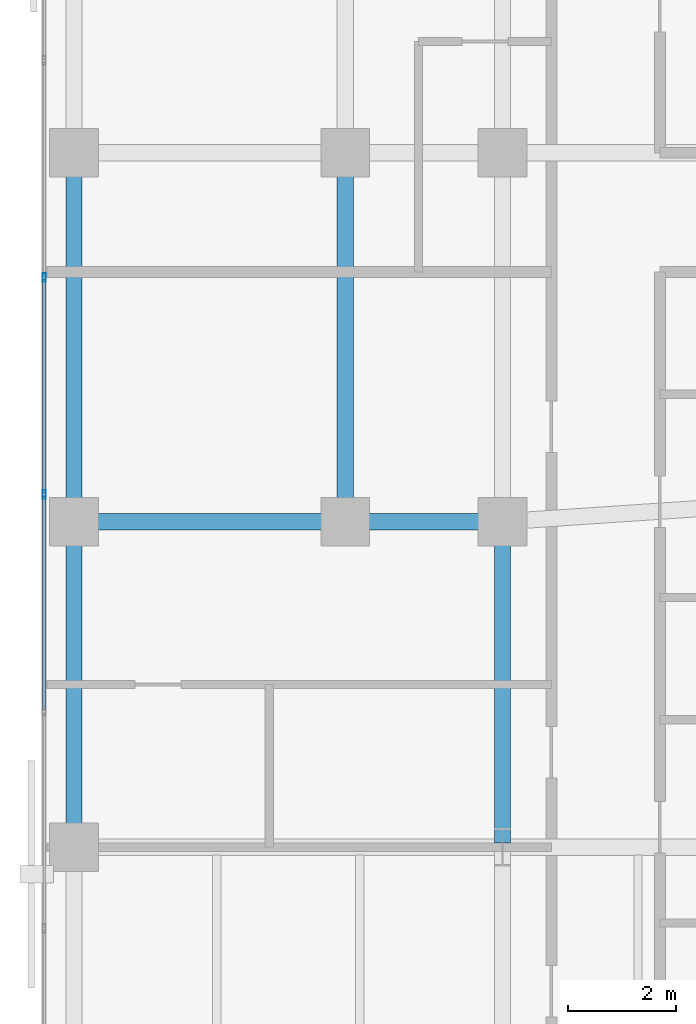
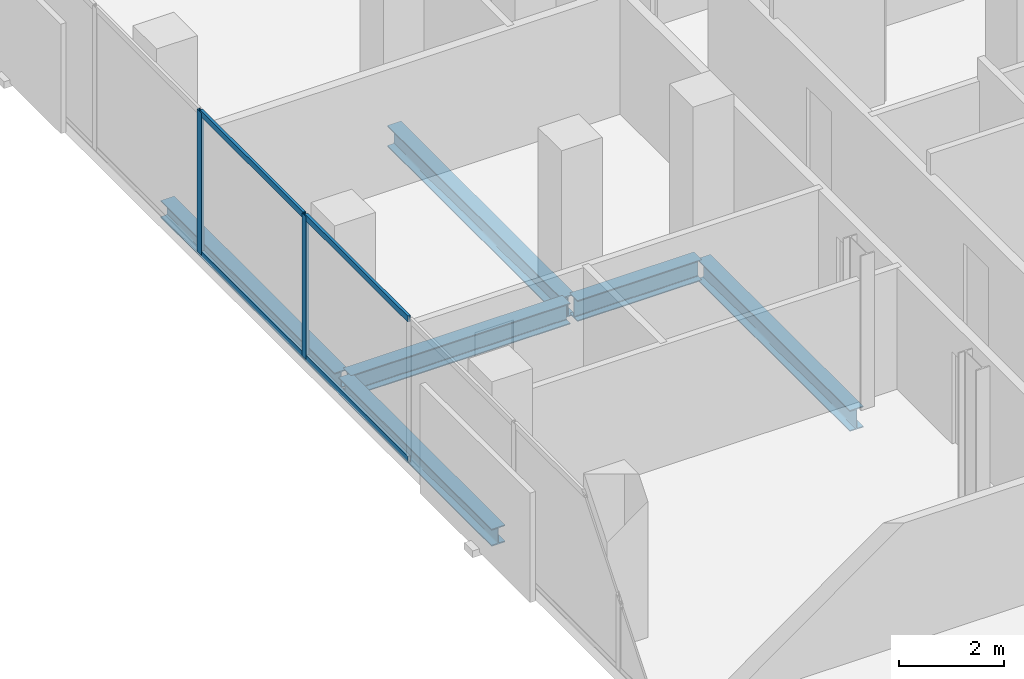
# One storey, part 9 of 34: 6 beams, 6 members, 1 element without a shape of its own.
"""IFC4 building model written with IfcOpenShell, lengths in metres."""

import ifcopenshell
import ifcopenshell.guid

model = None  # the IFC model being written
_history = None  # IfcOwnerHistory: only IFC2X3 demands one
_inside = {}  # id of a spatial element -> (the spatial element, [elements in it])
_under = {}  # id of a project, library or spatial element -> (it, [spatial elements below it])
_declared = {}  # id of a project -> (the project, [libraries it declares])
_typed = {}  # id of a type object -> (the type object, [elements of that type])
_made_of = {}  # id of a material, layer set ... -> (it, [elements and type objects made of it])


def new_model(schema):
    """Start an empty IFC model of exactly this schema.

    Asked for "IFC4X3", IfcOpenShell would pick the latest addendum, in which some entities
    have other attributes; the version numbers below select the first issue.
    IFC2X3 requires an IfcOwnerHistory on every rooted entity: one is made here for all.
    """
    global model, _history
    if schema == "IFC4X3":
        model = ifcopenshell.file(schema_version=(4, 3, 0, 0))
    else:
        model = ifcopenshell.file(schema=schema)
    _inside.clear()
    _under.clear()
    _declared.clear()
    _typed.clear()
    _made_of.clear()
    _history = None
    if model.schema == "IFC2X3":
        org = make("IfcOrganization", Name="unknown")
        user = make(
            "IfcPersonAndOrganization",
            ThePerson=make("IfcPerson", FamilyName="unknown"),
            TheOrganization=org,
        )
        app = make(
            "IfcApplication",
            ApplicationDeveloper=org,
            Version="unknown",
            ApplicationFullName="unknown",
            ApplicationIdentifier="unknown",
        )
        _history = make(
            "IfcOwnerHistory",
            OwningUser=user,
            OwningApplication=app,
            ChangeAction="ADDED",
            CreationDate=0,
        )
    return model


def make(cls, **values):
    """One entity of the class cls with the attributes given. An attribute that is None is left unset."""
    return model.create_entity(
        cls, **{name: value for name, value in values.items() if value is not None}
    )


def rooted(cls, **values):
    """An entity with a GlobalId (a new one), such as an element, a storey or a relation."""
    return make(cls, GlobalId=ifcopenshell.guid.new(), OwnerHistory=_history, **values)


def si_unit(unit_type, name, prefix=None):
    """IfcSIUnit, for example si_unit("LENGTHUNIT", "METRE", prefix="MILLI")."""
    return make("IfcSIUnit", UnitType=unit_type, Prefix=prefix, Name=name)


def assignment(units):
    """IfcUnitAssignment: the units of a project."""
    return None if units is None else make("IfcUnitAssignment", Units=units)


def point(xyz):
    """IfcCartesianPoint."""
    return None if xyz is None else make("IfcCartesianPoint", Coordinates=xyz)


def direction(xyz):
    """IfcDirection."""
    return None if xyz is None else make("IfcDirection", DirectionRatios=xyz)


def frame(location, z_axis=None, x_axis=None):
    """IfcAxis2Placement3D, a coordinate frame: its origin and axes. An axis left out is left unset."""
    return make(
        "IfcAxis2Placement3D",
        Location=point(location),
        Axis=direction(z_axis),
        RefDirection=direction(x_axis),
    )


def frame_2d(location, x_axis=None):
    """IfcAxis2Placement2D, a coordinate frame in the plane: its origin and x axis."""
    return make(
        "IfcAxis2Placement2D", Location=point(location), RefDirection=direction(x_axis)
    )


def origin():
    """The frame at (0, 0, 0) with its axes left unset."""
    return frame((0.0, 0.0, 0.0))


def origin_2d():
    """The frame at (0, 0) in the plane with its x axis left unset."""
    return frame_2d((0.0, 0.0))


def place(relative_to, where):
    """IfcLocalPlacement: puts the frame where relative to a parent placement (None: the world)."""
    return make(
        "IfcLocalPlacement", PlacementRelTo=relative_to, RelativePlacement=where
    )


def context(
    kind, dimensions, precision=None, world=None, true_north=None, identifier=None
):
    """IfcGeometricRepresentationContext, for example the 3D "Model" context."""
    return make(
        "IfcGeometricRepresentationContext",
        ContextIdentifier=identifier,
        ContextType=kind,
        CoordinateSpaceDimension=dimensions,
        Precision=precision,
        WorldCoordinateSystem=world,
        TrueNorth=true_north,
    )


def subcontext(parent, identifier, kind, view, scale=None):
    """IfcGeometricRepresentationSubContext, for example "Body" below "Model"."""
    return make(
        "IfcGeometricRepresentationSubContext",
        ContextIdentifier=identifier,
        ContextType=kind,
        ParentContext=parent,
        TargetScale=scale,
        TargetView=view,
    )


def project(units=None, contexts=None):
    """IfcProject with its units and contexts."""
    return rooted(
        "IfcProject",
        Name="project",
        RepresentationContexts=contexts,
        UnitsInContext=assignment(units),
    )


def spatial(cls, under=None, at=None, **own):
    """A site, building, storey or space (cls), placed at a placement, below another one or the project."""
    s = rooted(cls, ObjectPlacement=at, **own)
    if under is not None:
        _under.setdefault(under.id(), (under, []))[1].append(s)
    return s


def profile(cls, at=None, kind="AREA", **sizes):
    """A parametric profile (cls). Its sizes go by their IFC names, for example OverallWidth=200.0."""
    return make(cls, ProfileType=kind, Position=at, **sizes)


def hollow_rectangle(**sizes):
    """IfcRectangleHollowProfileDef."""
    return profile("IfcRectangleHollowProfileDef", **sizes)


def i_section(**sizes):
    """IfcIShapeProfileDef."""
    return profile("IfcIShapeProfileDef", **sizes)


def extrude(swept, where, along, depth):
    """IfcExtrudedAreaSolid: the profile swept, set in the frame where, extruded along a direction by depth."""
    return make(
        "IfcExtrudedAreaSolid",
        SweptArea=swept,
        Position=where,
        ExtrudedDirection=direction(along),
        Depth=depth,
    )


def shape(context_of_items, identifier, shape_type, items):
    """IfcShapeRepresentation: the items that make up one representation, for example the "Body"."""
    return make(
        "IfcShapeRepresentation",
        ContextOfItems=context_of_items,
        RepresentationIdentifier=identifier,
        RepresentationType=shape_type,
        Items=items,
    )


def material(Name=None, Category=None):
    """IfcMaterial."""
    return make("IfcMaterial", Name=Name, Category=Category)


def layer(
    of_material, thickness, ventilated=None, Name=None, Category=None, Priority=None
):
    """IfcMaterialLayer: one layer of a wall or slab, of a material (None: an air gap)."""
    return make(
        "IfcMaterialLayer",
        Material=of_material,
        LayerThickness=thickness,
        IsVentilated=ventilated,
        Name=Name,
        Category=Category,
        Priority=Priority,
    )


def layer_set(layers, Name=None):
    """IfcMaterialLayerSet."""
    return make("IfcMaterialLayerSet", MaterialLayers=layers, LayerSetName=Name)


def material_profile(
    of_material, cross_section, Name=None, Category=None, Priority=None
):
    """IfcMaterialProfile: a cross section and its material."""
    return make(
        "IfcMaterialProfile",
        Name=Name,
        Material=of_material,
        Profile=cross_section,
        Priority=Priority,
        Category=Category,
    )


def profile_set(profiles, Name=None, composite=None):
    """IfcMaterialProfileSet."""
    return make(
        "IfcMaterialProfileSet",
        Name=Name,
        MaterialProfiles=profiles,
        CompositeProfile=composite,
    )


def made_of(thing, what):
    """Note that an element or type object is made of a material, layer set ...; save() writes the relation."""
    if what is not None:
        _made_of.setdefault(what.id(), (what, []))[1].append(thing)
    return thing


def type_object(cls, material=None, **own):
    """A type object (cls), such as IfcWallType, which elements share."""
    return made_of(rooted(cls, **own), material)


def element(
    cls,
    number,
    at=None,
    inside=None,
    cuts=None,
    type_object=None,
    material=None,
    context=None,
    identifier="Body",
    shape_type=None,
    held_by="IfcProductDefinitionShape",
    body=None,
    shapes=None,
    **own,
):
    """One element of the class cls, such as IfcWall. Its Tag is "e" and its number.

    at: its placement. inside: the storey or other place that contains it. cuts: it is an
    opening in that element (IfcRelVoidsElement). A single representation is given by context,
    identifier, shape_type and body (its items); several are given by shapes. held_by: the class
    of the entity that holds the representations. save() writes the other relations.
    """
    e = rooted(cls, Tag="e%d" % number, ObjectPlacement=at, **own)
    if body is not None:
        shapes = [shape(context, identifier, shape_type, body)]
    if shapes is not None:
        e.Representation = make(held_by, Representations=shapes)
    if inside is not None:
        _inside.setdefault(inside.id(), (inside, []))[1].append(e)
    if cuts is not None:
        rooted(
            "IfcRelVoidsElement", RelatingBuildingElement=cuts, RelatedOpeningElement=e
        )
    if type_object is not None:
        _typed.setdefault(type_object.id(), (type_object, []))[1].append(e)
    return made_of(e, material)


def aggregate(whole, parts):
    """IfcRelAggregates: a whole, such as a stair, and the parts it consists of."""
    return rooted("IfcRelAggregates", RelatingObject=whole, RelatedObjects=parts)


def save(model, path):
    """Write the relations noted so far, then the file.

    IfcRelAggregates (storeys below a building ...), IfcRelContainedInSpatialStructure (elements
    in a storey), IfcRelDefinesByType, IfcRelAssociatesMaterial and IfcRelDeclares: one each for
    every whole, place, type object, material and project.
    """
    for whole, parts in _under.values():
        aggregate(whole, parts)
    for where, things in _inside.values():
        rooted(
            "IfcRelContainedInSpatialStructure",
            RelatedElements=things,
            RelatingStructure=where,
        )
    for kind, things in _typed.values():
        rooted("IfcRelDefinesByType", RelatedObjects=things, RelatingType=kind)
    for what, things in _made_of.values():
        rooted("IfcRelAssociatesMaterial", RelatedObjects=things, RelatingMaterial=what)
    for by, libraries in _declared.values():
        rooted("IfcRelDeclares", RelatingContext=by, RelatedDefinitions=libraries)
    model.write(path)


model = new_model("IFC4")

# Units and contexts
model_context = context("Model", 3, precision=1e-05, world=origin(), true_north=direction((0.0, 1.0)))
body_context = subcontext(model_context, "Body", "Model", "MODEL_VIEW")
ifc_project = project(units=[si_unit("LENGTHUNIT", "METRE"), si_unit("AREAUNIT", "SQUARE_METRE"), si_unit("VOLUMEUNIT", "CUBIC_METRE"), si_unit("PLANEANGLEUNIT", "RADIAN"), si_unit("MASSUNIT", "GRAM", prefix="KILO")], contexts=[model_context])

# Site, building, storey
site_placement = place(None, origin())
site = spatial("IfcSite", under=ifc_project, at=site_placement, CompositionType="ELEMENT")
building_placement = place(site_placement, origin())
building = spatial("IfcBuilding", under=site, at=building_placement, Name="Catumbela Crestline Tower", CompositionType="ELEMENT")
storey_placement = place(building_placement, frame((0.0, 0.0, 97.2)))
storey = spatial("IfcBuildingStorey", under=building, at=storey_placement, Name="L24", CompositionType="ELEMENT", Elevation=97.2)

# Beams
ifc_material_1 = material(Name="Structural steel S355J2", Category="steel")
ifc_material_profile_1 = material_profile(ifc_material_1, i_section(OverallWidth=0.3, OverallDepth=0.49, WebThickness=0.012, FlangeThickness=0.023, FilletRadius=0.027, at=origin_2d()), Name="HEA 500")
ifc_profile_set_1 = profile_set([ifc_material_profile_1], Name="Structural steel S355J2")
beam_type_1 = type_object("IfcBeamType", Name="BG-HEA500", PredefinedType="BEAM", material=ifc_profile_set_1)
beam_1_placement = place(storey_placement, frame((0.68, 24.0, -0.505), z_axis=(1.0, 0.0, 0.0), x_axis=(0.0, 1.0, 0.0)))
element("IfcBeam", 1, at=beam_1_placement, inside=storey, type_object=beam_type_1, Name="L24 Beam BM-L24-S01", PredefinedType="BEAM", context=body_context, shape_type="SweptSolid", body=[
    extrude(i_section(OverallWidth=0.3, OverallDepth=0.49, WebThickness=0.012, FlangeThickness=0.023, FilletRadius=0.027, at=origin_2d()), origin(), (0.0, 0.0, 1.0), 4.84),
])
beam_2_placement = place(storey_placement, frame((5.68, 24.0, -0.505), z_axis=(1.0, 0.0, 0.0), x_axis=(0.0, 1.0, 0.0)))
element("IfcBeam", 2, at=beam_2_placement, inside=storey, type_object=beam_type_1, Name="L24 Beam BM-L24-S02", PredefinedType="BEAM", context=body_context, shape_type="SweptSolid", body=[
    extrude(i_section(OverallWidth=0.3, OverallDepth=0.49, WebThickness=0.012, FlangeThickness=0.023, FilletRadius=0.027, at=origin_2d()), origin(), (0.0, 0.0, 1.0), 2.74),
])
beam_3_placement = place(storey_placement, frame((5.6, 24.08, -0.505), z_axis=(0.0, 1.0, 0.0), x_axis=(-1.0, 0.0, 0.0)))
element("IfcBeam", 3, at=beam_3_placement, inside=storey, type_object=beam_type_1, Name="L24 Beam BM-L24-SN24", PredefinedType="BEAM", context=body_context, shape_type="SweptSolid", body=[
    extrude(i_section(OverallWidth=0.3, OverallDepth=0.49, WebThickness=0.012, FlangeThickness=0.023, FilletRadius=0.027, at=origin_2d()), origin(), (0.0, 0.0, 1.0), 6.64),
])
beam_4_placement = place(storey_placement, frame((8.5, 18.08, -0.505), z_axis=(0.0, 1.0, 0.0), x_axis=(-1.0, 0.0, 0.0)))
element("IfcBeam", 4, at=beam_4_placement, inside=storey, type_object=beam_type_1, Name="L24 Beam BM-L24-WNS57", PredefinedType="BEAM", context=body_context, shape_type="SweptSolid", body=[
    extrude(i_section(OverallWidth=0.3, OverallDepth=0.49, WebThickness=0.012, FlangeThickness=0.023, FilletRadius=0.027, at=origin_2d()), origin(), (0.0, 0.0, 1.0), 5.84),
])

# Curtain wall, members
ifc_material_2 = material(Name="Aluminium alloy AW-6060-T66", Category="aluminium")
ifc_layer = layer(ifc_material_2, 0.18, Name="Aluminium alloy AW-6060-T66")
ifc_layer_set = layer_set([ifc_layer], Name="Aluminium alloy AW-6060-T66")
curtain_wall_type = type_object("IfcCurtainWallType", Name="CWU-Z2", PredefinedType="USERDEFINED", material=ifc_layer_set)
curtain_wall_placement = place(storey_placement, origin())
curtain_wall = element("IfcCurtainWall", 5, at=curtain_wall_placement, inside=storey, type_object=curtain_wall_type, Name="L24 Unitised Curtain Wall CW-L24-E9S1", ObjectType="UNITISED", PredefinedType="USERDEFINED")
ifc_material_profile_2 = material_profile(ifc_material_2, hollow_rectangle(XDim=0.06, YDim=0.16, WallThickness=0.004, at=origin_2d()), Name="ALU 160x60x4")
ifc_profile_set_2 = profile_set([ifc_material_profile_2], Name="Aluminium alloy AW-6060-T66")
member_type_1 = type_object("IfcMemberType", Name="MUL-160X60", PredefinedType="MULLION", material=ifc_profile_set_2)
member_1_placement = place(storey_placement, frame((0.05, 28.5, 0.0), z_axis=(0.0, 0.0, 1.0), x_axis=(1.0, 0.0, 0.0)))
member_1 = element("IfcMember", 6, at=member_1_placement, type_object=member_type_1, Name="CWU-Z2 mullion 5", PredefinedType="MULLION", context=body_context, shape_type="SweptSolid", body=[
    extrude(hollow_rectangle(XDim=0.06, YDim=0.16, WallThickness=0.004, at=origin_2d()), origin(), (0.0, 0.0, 1.0), 3.33),
])
member_2_placement = place(storey_placement, frame((0.05, 24.5, 0.0), z_axis=(0.0, 0.0, 1.0), x_axis=(1.0, 0.0, 0.0)))
member_2 = element("IfcMember", 7, at=member_2_placement, type_object=member_type_1, Name="CWU-Z2 mullion 6", PredefinedType="MULLION", context=body_context, shape_type="SweptSolid", body=[
    extrude(hollow_rectangle(XDim=0.06, YDim=0.16, WallThickness=0.004, at=origin_2d()), origin(), (0.0, 0.0, 1.0), 3.33),
])

# Beams
ifc_material_profile_3 = material_profile(ifc_material_1, i_section(OverallWidth=0.3, OverallDepth=0.4, WebThickness=0.0135, FlangeThickness=0.024, FilletRadius=0.027, at=origin_2d()), Name="HEB 400")
ifc_profile_set_3 = profile_set([ifc_material_profile_3], Name="Structural steel S355J2")
beam_type_2 = type_object("IfcBeamType", Name="BS-HEB400", PredefinedType="SPANDREL", material=ifc_profile_set_3)
beam_5_placement = place(storey_placement, frame((0.6, 24.08, -0.46), z_axis=(0.0, 1.0, 0.0), x_axis=(-1.0, 0.0, 0.0)))
element("IfcBeam", 8, at=beam_5_placement, inside=storey, type_object=beam_type_2, Name="L24 Spandrel SP-L24-SN22", PredefinedType="SPANDREL", context=body_context, shape_type="SweptSolid", body=[
    extrude(i_section(OverallWidth=0.3, OverallDepth=0.4, WebThickness=0.0135, FlangeThickness=0.024, FilletRadius=0.027, at=origin_2d()), origin(), (0.0, 0.0, 1.0), 6.64),
])
beam_6_placement = place(storey_placement, frame((0.6, 18.08, -0.46), z_axis=(0.0, 1.0, 0.0), x_axis=(-1.0, 0.0, 0.0)))
element("IfcBeam", 9, at=beam_6_placement, inside=storey, type_object=beam_type_2, Name="L24 Spandrel SP-L24-WNS54", PredefinedType="SPANDREL", context=body_context, shape_type="SweptSolid", body=[
    extrude(i_section(OverallWidth=0.3, OverallDepth=0.4, WebThickness=0.0135, FlangeThickness=0.024, FilletRadius=0.027, at=origin_2d()), origin(), (0.0, 0.0, 1.0), 5.84),
])

# Member
ifc_material_profile_4 = material_profile(ifc_material_2, hollow_rectangle(XDim=0.06, YDim=0.14, WallThickness=0.004, at=origin_2d()), Name="ALU 140x60x4")
ifc_profile_set_4 = profile_set([ifc_material_profile_4], Name="Aluminium alloy AW-6060-T66")
member_type_2 = type_object("IfcMemberType", Name="TRN-140X60", PredefinedType="USERDEFINED", material=ifc_profile_set_4)
member_3_placement = place(storey_placement, frame((0.05, 28.4675, 0.03), z_axis=(0.0, -1.0, 0.0), x_axis=(1.0, 0.0, 0.0)))
member_3 = element("IfcMember", 10, at=member_3_placement, type_object=member_type_2, Name="CWU-Z2 transom 5.1", ObjectType="TRANSOM", PredefinedType="USERDEFINED", context=body_context, shape_type="SweptSolid", body=[
    extrude(hollow_rectangle(XDim=0.06, YDim=0.14, WallThickness=0.004, at=origin_2d()), origin(), (0.0, 0.0, 1.0), 3.935),
])

member_4_placement = place(storey_placement, frame((0.05, 28.4675, 3.3), z_axis=(0.0, -1.0, 0.0), x_axis=(1.0, 0.0, 0.0)))
member_4 = element("IfcMember", 11, at=member_4_placement, type_object=member_type_2, Name="CWU-Z2 transom 5.2", ObjectType="TRANSOM", PredefinedType="USERDEFINED", context=body_context, shape_type="SweptSolid", body=[
    extrude(hollow_rectangle(XDim=0.06, YDim=0.14, WallThickness=0.004, at=origin_2d()), origin(), (0.0, 0.0, 1.0), 3.935),
])

member_5_placement = place(storey_placement, frame((0.05, 24.4675, 0.03), z_axis=(0.0, -1.0, 0.0), x_axis=(1.0, 0.0, 0.0)))
member_5 = element("IfcMember", 12, at=member_5_placement, type_object=member_type_2, Name="CWU-Z2 transom 6.1", ObjectType="TRANSOM", PredefinedType="USERDEFINED", context=body_context, shape_type="SweptSolid", body=[
    extrude(hollow_rectangle(XDim=0.06, YDim=0.14, WallThickness=0.004, at=origin_2d()), origin(), (0.0, 0.0, 1.0), 3.935),
])

member_6_placement = place(storey_placement, frame((0.05, 24.4675, 3.3), z_axis=(0.0, -1.0, 0.0), x_axis=(1.0, 0.0, 0.0)))
member_6 = element("IfcMember", 13, at=member_6_placement, type_object=member_type_2, Name="CWU-Z2 transom 6.2", ObjectType="TRANSOM", PredefinedType="USERDEFINED", context=body_context, shape_type="SweptSolid", body=[
    extrude(hollow_rectangle(XDim=0.06, YDim=0.14, WallThickness=0.004, at=origin_2d()), origin(), (0.0, 0.0, 1.0), 3.935),
])

aggregate(curtain_wall, [member_1, member_2, member_3, member_4, member_5, member_6])

save(model, "model.ifc")
